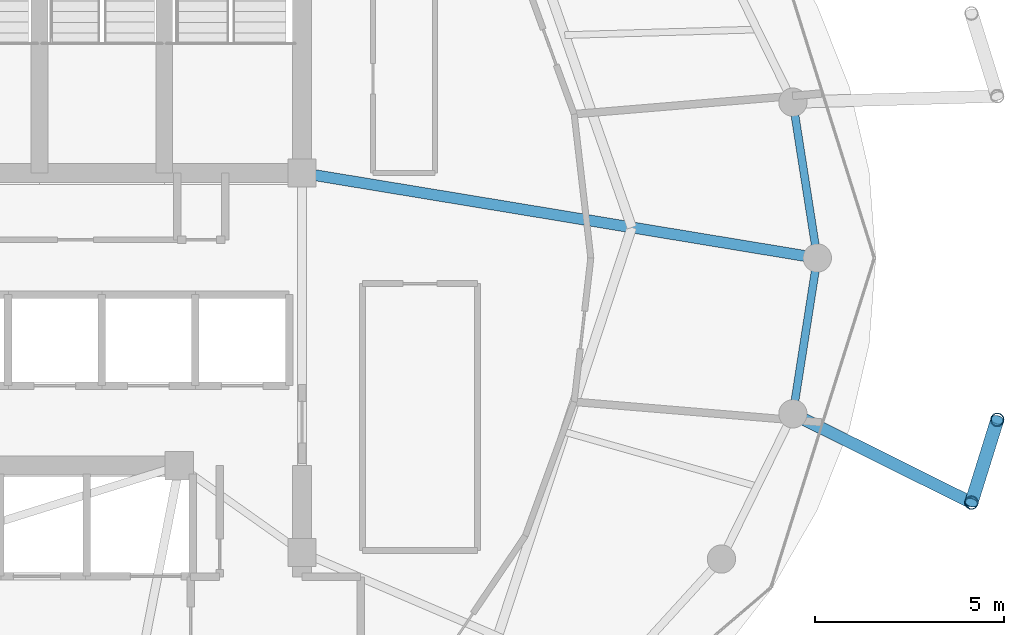
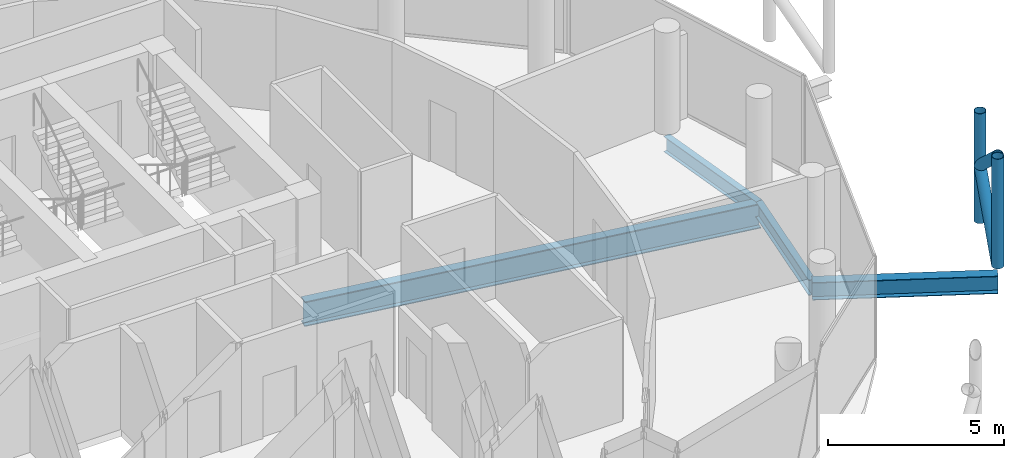
# One storey, part 11 of 24: 4 beams, 4 members.
"""IFC4 building model written with IfcOpenShell, lengths in metres."""

from ifc_helpers import new_model, si_unit, direction, frame, origin, origin_2d, place, context, subcontext, project, spatial, hollow_circle, i_section, extrude, material, material_profile, profile_set, type_object, element, save


model = new_model("IFC4")

# Units and contexts
model_context = context("Model", 3, precision=1e-05, world=origin(), true_north=direction((0.0, 1.0)))
body_context = subcontext(model_context, "Body", "Model", "MODEL_VIEW")
ifc_project = project(units=[si_unit("LENGTHUNIT", "METRE"), si_unit("AREAUNIT", "SQUARE_METRE"), si_unit("VOLUMEUNIT", "CUBIC_METRE"), si_unit("PLANEANGLEUNIT", "RADIAN"), si_unit("MASSUNIT", "GRAM", prefix="KILO")], contexts=[model_context])

# Site, building, storey
site_placement = place(None, origin())
site = spatial("IfcSite", under=ifc_project, at=site_placement, CompositionType="ELEMENT")
building_placement = place(site_placement, origin())
building = spatial("IfcBuilding", under=site, at=building_placement, Name="Nuhasar Tower", CompositionType="ELEMENT")
storey_placement = place(building_placement, frame((0.0, 0.0, 282.199951171875)))
storey = spatial("IfcBuildingStorey", under=building, at=storey_placement, Name="L70", CompositionType="ELEMENT", Elevation=282.199951171875)

# Beams
ifc_material_1 = material(Name="Steel S355", Category="steel")
ifc_material_profile_1 = material_profile(ifc_material_1, i_section(OverallWidth=0.2919921875, OverallDepth=0.85888671875, WebThickness=0.01708984375, FlangeThickness=0.031005859375, at=origin_2d()), Name="W33X169")
ifc_profile_set_1 = profile_set([ifc_material_profile_1], Name="Steel S355")
beam_type_1 = type_object("IfcBeamType", Name="BM-POD-W33X169", PredefinedType="BEAM", material=ifc_profile_set_1)
beam_1_placement = place(storey_placement, frame((44.300048828125, 29.050048828125, -0.68994140625), z_axis=(0.986685215874, -0.162641583786, 0.0), x_axis=(0.162641583786, 0.986685215874, 0.0)))
element("IfcBeam", 1, at=beam_1_placement, inside=storey, type_object=beam_type_1, Name="L70 Radial Floor Girder 04", PredefinedType="BEAM", context=body_context, shape_type="SweptSolid", body=[
    extrude(i_section(OverallWidth=0.2919921875, OverallDepth=0.85888671875, WebThickness=0.01708984375, FlangeThickness=0.031005859375, at=origin_2d()), origin(), (0.0, 0.0, 1.0), 13.833984375),
])
ifc_material_profile_2 = material_profile(ifc_material_1, i_section(OverallWidth=0.2099609375, OverallDepth=0.537109375, WebThickness=0.010986328125, FlangeThickness=0.017333984375, at=origin_2d()), Name="W21X68")
ifc_profile_set_2 = profile_set([ifc_material_profile_2], Name="Steel S355")
beam_type_2 = type_object("IfcBeamType", Name="BM-RING-W21X68", PredefinedType="SPANDREL", material=ifc_profile_set_2)
for number, where, z_axis, x_axis, name in (
    (2, (57.949951171875, 26.800048828125, -0.529052734375), (-0.154612165232, 0.987975241776, 0.0), (-0.987975241776, -0.154612165232, 0.0), "L70 Perimeter Ring Spandrel 01"),
    (3, (57.303955078125, 22.672119140625, -0.529052734375), (0.154612165232, 0.987975241776, 0.0), (-0.987975241776, 0.154612165232, 0.0), "L70 Perimeter Ring Spandrel 24"),
):
    element("IfcBeam", number, at=place(storey_placement, frame(where, z_axis=z_axis, x_axis=x_axis)), inside=storey, type_object=beam_type_2, Name=name, PredefinedType="SPANDREL", context=body_context, shape_type="SweptSolid", body=[
        extrude(i_section(OverallWidth=0.2099609375, OverallDepth=0.537109375, WebThickness=0.010986328125, FlangeThickness=0.017333984375, at=origin_2d()), origin(), (0.0, 0.0, 1.0), 4.17822265625),
    ])
ifc_material_profile_3 = material_profile(ifc_material_1, i_section(OverallWidth=0.323974609375, OverallDepth=0.611083984375, WebThickness=0.0126953125, FlangeThickness=0.01904296875, at=origin_2d()), Name="W24X104")
ifc_profile_set_3 = profile_set([ifc_material_profile_3], Name="Steel S355")
beam_type_3 = type_object("IfcBeamType", Name="BM-TIE-W24X104", PredefinedType="BEAM", material=ifc_profile_set_3)
beam_2_placement = place(storey_placement, frame((57.303955078125, 22.672119140625, -0.56494140625), z_axis=(0.895294451274, -0.445474853969, 0.0), x_axis=(0.445474853969, 0.895294451274, 0.0)))
element("IfcBeam", 4, at=beam_2_placement, inside=storey, type_object=beam_type_3, Name="L70 Exoskeleton Node Tie Beam 12", PredefinedType="BEAM", context=body_context, shape_type="SweptSolid", body=[
    extrude(i_section(OverallWidth=0.323974609375, OverallDepth=0.611083984375, WebThickness=0.0126953125, FlangeThickness=0.01904296875, at=origin_2d()), origin(), (0.0, 0.0, 1.0), 5.281982421875),
])

# Members
ifc_material_2 = material(Name="Steel S460", Category="steel")
ifc_material_profile_4 = material_profile(ifc_material_2, hollow_circle(Radius=0.177734375, WallThickness=0.015869140625, at=origin_2d()), Name="HSS355.6X15.9")
ifc_profile_set_4 = profile_set([ifc_material_profile_4], Name="Steel S460")
member_type = type_object("IfcMemberType", Name="EXO-BRONZE-356", PredefinedType="BRACE", material=ifc_profile_set_4)
for number, where, z_axis, x_axis, name in (
    (5, (62.032958984375, 20.319091796875, 0.0), (0.0, 0.0, 1.0), (1.0, 0.0, 0.0), "L70 Exoskeleton Chord Column EC-12A"),
    (6, (62.718017578125, 22.513916015625, 0.0), (0.0, 0.0, 1.0), (1.0, 0.0, 0.0), "L70 Exoskeleton Chord Column EC-12B"),
):
    element("IfcMember", number, at=place(storey_placement, frame(where, z_axis=z_axis, x_axis=x_axis)), inside=storey, type_object=member_type, Name=name, PredefinedType="BRACE", context=body_context, shape_type="SweptSolid", body=[
        extrude(hollow_circle(Radius=0.177734375, WallThickness=0.015869140625, at=origin_2d()), origin(), (0.0, 0.0, 1.0), 3.800048828125),
    ])
member_1_placement = place(storey_placement, frame((62.032958984375, 20.319091796875, 0.0), z_axis=(0.229669386127, 0.73582600901, 0.637033796232), x_axis=(-0.954581948223, 0.297948492404, 0.0)))
element("IfcMember", 7, at=member_1_placement, inside=storey, type_object=member_type, Name="L70 Bronze Diagrid Brace W1-12", PredefinedType="BRACE", context=body_context, shape_type="SweptSolid", body=[
    extrude(hollow_circle(Radius=0.177734375, WallThickness=0.015869140625, at=origin_2d()), origin(), (0.0, 0.0, 1.0), 2.98291015625),
])
member_2_placement = place(storey_placement, frame((62.718017578125, 22.513916015625, 1.900146484375), z_axis=(-0.229681361446, -0.735864376122, 0.636985158507), x_axis=(0.954581948223, -0.297948492404, 0.0)))
element("IfcMember", 8, at=member_2_placement, inside=storey, type_object=member_type, Name="L70 Bronze Diagrid Brace W2-12", PredefinedType="BRACE", context=body_context, shape_type="SweptSolid", body=[
    extrude(hollow_circle(Radius=0.177734375, WallThickness=0.015869140625, at=origin_2d()), origin(), (0.0, 0.0, 1.0), 2.982666015625),
])

save(model, "model.ifc")
